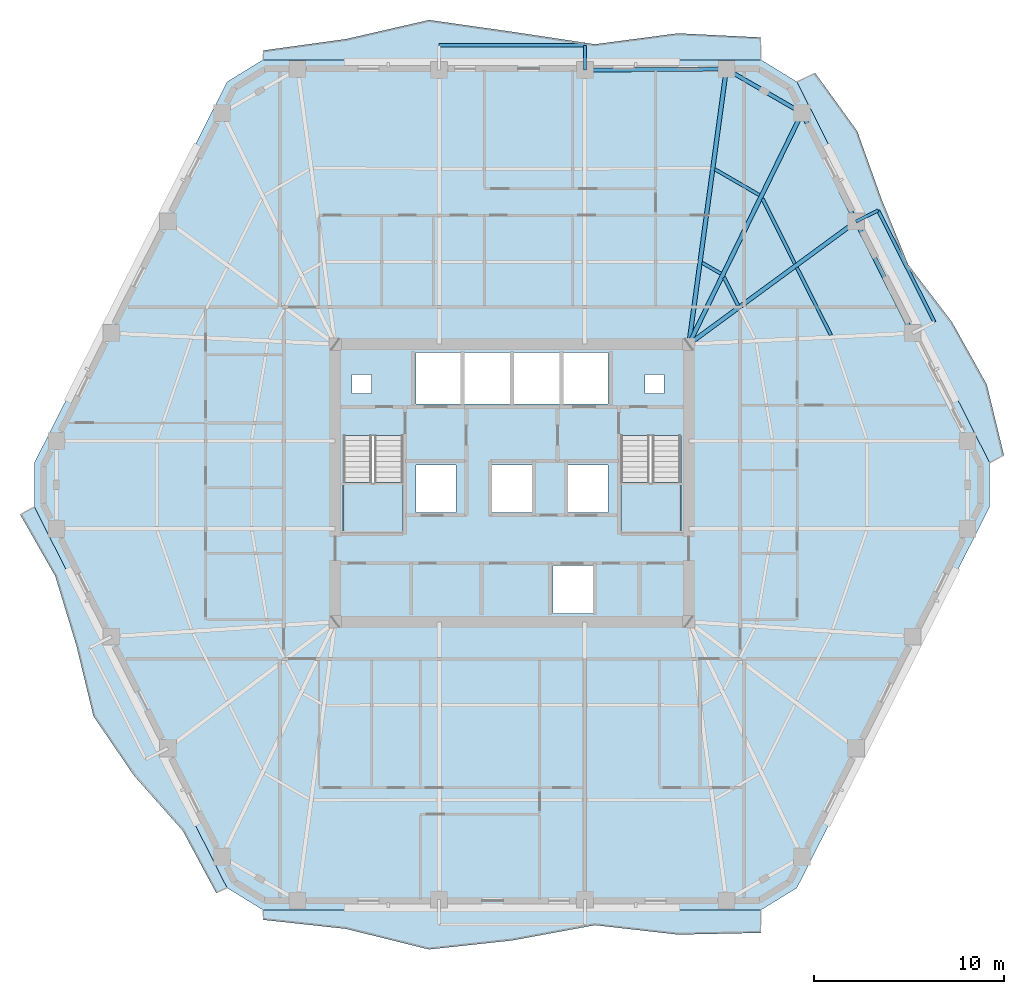
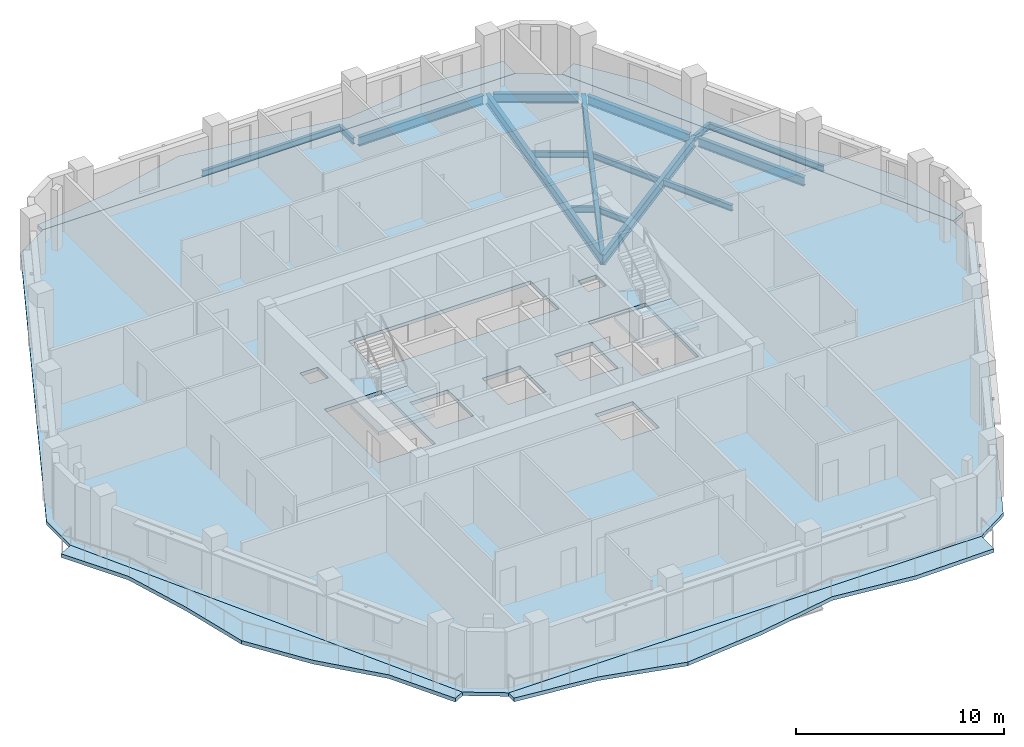
# One storey, part 3 of 12: 16 beams, 7 slabs, 2 elements without a shape of their own.
"""IFC4 building model written with IfcOpenShell, lengths in metres."""

from ifc_helpers import new_model, si_unit, direction, frame, origin, origin_2d, place, context, subcontext, project, spatial, polyline, i_section, outline, extrude, material, layer, layer_set, material_profile, profile_set, type_object, element, aggregate, save


model = new_model("IFC4")

# Units and contexts
model_context = context("Model", 3, precision=1e-05, world=origin(), true_north=direction((0.0, 1.0)))
body_context = subcontext(model_context, "Body", "Model", "MODEL_VIEW")
ifc_project = project(units=[si_unit("LENGTHUNIT", "METRE"), si_unit("AREAUNIT", "SQUARE_METRE"), si_unit("VOLUMEUNIT", "CUBIC_METRE"), si_unit("PLANEANGLEUNIT", "RADIAN"), si_unit("MASSUNIT", "GRAM", prefix="KILO")], contexts=[model_context])

# Site, building, storey
site_placement = place(None, origin())
site = spatial("IfcSite", under=ifc_project, at=site_placement, CompositionType="ELEMENT")
building_placement = place(site_placement, origin())
building = spatial("IfcBuilding", under=site, at=building_placement, Name="Cinnabar Lancet Tower", CompositionType="ELEMENT")
storey_placement = place(building_placement, frame((0.0, 0.0, 153.5)))
storey = spatial("IfcBuildingStorey", under=building, at=storey_placement, Name="L40", CompositionType="ELEMENT", Elevation=153.5)

# Beams
ifc_material_1 = material(Name="Structural steel S355", Category="steel")
ifc_material_profile_1 = material_profile(ifc_material_1, i_section(OverallWidth=0.17138671875, OverallDepth=0.35498046875, WebThickness=0.00732421875, FlangeThickness=0.011474609375, FilletRadius=0.01025390625, at=origin_2d()), Name="UKB 356x171x51")
ifc_profile_set_1 = profile_set([ifc_material_profile_1], Name="Structural steel S355")
beam_type_1 = type_object("IfcBeamType", Name="STR-BM-JST-356", PredefinedType="JOIST", material=ifc_profile_set_1)
beam_1_placement = place(storey_placement, frame((49.1650390625, 33.679931640625, -0.387939453125), z_axis=(-0.450656035687, 0.892697674187, 0.0), x_axis=(-0.892697674187, -0.450656035687, 0.0)))
element("IfcBeam", 1, at=beam_1_placement, inside=storey, type_object=beam_type_1, Name="L40 Secondary Floor Joist 27", PredefinedType="JOIST", context=body_context, shape_type="SweptSolid", body=[
    extrude(i_section(OverallWidth=0.17138671875, OverallDepth=0.35498046875, WebThickness=0.00732421875, FlangeThickness=0.011474609375, FilletRadius=0.01025390625, at=origin_2d()), origin(), (0.0, 0.0, 1.0), 3.9677734375),
])
beam_2_placement = place(storey_placement, frame((47.27294921875, 37.427978515625, -0.387939453125), z_axis=(-0.4452962175, 0.895383313827, 0.0), x_axis=(-0.895383313827, -0.4452962175, 0.0)))
element("IfcBeam", 2, at=beam_2_placement, inside=storey, type_object=beam_type_1, Name="L40 Secondary Floor Joist 29", PredefinedType="JOIST", context=body_context, shape_type="SweptSolid", body=[
    extrude(i_section(OverallWidth=0.17138671875, OverallDepth=0.35498046875, WebThickness=0.00732421875, FlangeThickness=0.011474609375, FilletRadius=0.01025390625, at=origin_2d()), origin(), (0.0, 0.0, 1.0), 3.822021484375),
])
beam_3_placement = place(storey_placement, frame((44.284912109375, 35.237060546875, -0.387939453125), z_axis=(-0.445203586036, 0.895429375764, 0.0), x_axis=(-0.895429375764, -0.445203586036, 0.0)))
element("IfcBeam", 3, at=beam_3_placement, inside=storey, type_object=beam_type_1, Name="L40 Secondary Floor Joist 30", PredefinedType="JOIST", context=body_context, shape_type="SweptSolid", body=[
    extrude(i_section(OverallWidth=0.17138671875, OverallDepth=0.35498046875, WebThickness=0.00732421875, FlangeThickness=0.011474609375, FilletRadius=0.01025390625, at=origin_2d()), origin(), (0.0, 0.0, 1.0), 1.65283203125),
])
beam_4_placement = place(storey_placement, frame((45.407958984375, 41.035888671875, -0.387939453125), z_axis=(-0.865133760642, 0.501541200898, 0.0), x_axis=(-0.501541200898, -0.865133760642, 0.0)))
element("IfcBeam", 4, at=beam_4_placement, inside=storey, type_object=beam_type_1, Name="L40 Secondary Floor Joist 31", PredefinedType="JOIST", context=body_context, shape_type="SweptSolid", body=[
    extrude(i_section(OverallWidth=0.17138671875, OverallDepth=0.35498046875, WebThickness=0.00732421875, FlangeThickness=0.011474609375, FilletRadius=0.01025390625, at=origin_2d()), origin(), (0.0, 0.0, 1.0), 2.7060546875),
])
beam_5_placement = place(storey_placement, frame((43.385986328125, 36.904052734375, -0.387939453125), z_axis=(-0.865640778484, 0.500665599602, 0.0), x_axis=(-0.500665599602, -0.865640778484, 0.0)))
element("IfcBeam", 5, at=beam_5_placement, inside=storey, type_object=beam_type_1, Name="L40 Secondary Floor Joist 32", PredefinedType="JOIST", context=body_context, shape_type="SweptSolid", body=[
    extrude(i_section(OverallWidth=0.17138671875, OverallDepth=0.35498046875, WebThickness=0.00732421875, FlangeThickness=0.011474609375, FilletRadius=0.01025390625, at=origin_2d()), origin(), (0.0, 0.0, 1.0), 1.142578125),
])
ifc_material_2 = material(Name="Structural steel S355", Category="steel")
ifc_material_profile_2 = material_profile(ifc_material_2, i_section(OverallWidth=0.209228515625, OverallDepth=0.533203125, WebThickness=0.010009765625, FlangeThickness=0.015625, FilletRadius=0.0126953125, at=origin_2d()), Name="UKB 533x210x92")
ifc_profile_set_2 = profile_set([ifc_material_profile_2], Name="Structural steel S355")
beam_type_2 = type_object("IfcBeamType", Name="STR-BM-SPN-533", PredefinedType="SPANDREL", material=ifc_profile_set_2)
beam_6_placement = place(storey_placement, frame((53.339111328125, 33.9990234375, -0.47705078125), z_axis=(-0.450570325924, 0.892740937449, 0.0), x_axis=(-0.892740937449, -0.450570325924, 0.0)))
element("IfcBeam", 6, at=beam_6_placement, inside=storey, type_object=beam_type_2, Name="L40 Perimeter Spandrel 10", PredefinedType="SPANDREL", context=body_context, shape_type="SweptSolid", body=[
    extrude(i_section(OverallWidth=0.209228515625, OverallDepth=0.533203125, WebThickness=0.010009765625, FlangeThickness=0.015625, FilletRadius=0.0126953125, at=origin_2d()), origin(), (0.0, 0.0, 1.0), 6.07470703125),
])
beam_7_placement = place(storey_placement, frame((50.3779296875, 39.868896484375, -0.47705078125), z_axis=(-0.445501068635, 0.89528140707, 0.0), x_axis=(-0.89528140707, -0.445501068635, 0.0)))
element("IfcBeam", 7, at=beam_7_placement, inside=storey, type_object=beam_type_2, Name="L40 Perimeter Spandrel 11", PredefinedType="SPANDREL", context=body_context, shape_type="SweptSolid", body=[
    extrude(i_section(OverallWidth=0.209228515625, OverallDepth=0.533203125, WebThickness=0.010009765625, FlangeThickness=0.015625, FilletRadius=0.0126953125, at=origin_2d()), origin(), (0.0, 0.0, 1.0), 5.87646484375),
])
beam_8_placement = place(storey_placement, frame((47.43310546875, 45.47900390625, -0.47705078125), z_axis=(-0.865138129765, 0.5015336643, 0.0), x_axis=(-0.5015336643, -0.865138129765, 0.0)))
element("IfcBeam", 8, at=beam_8_placement, inside=storey, type_object=beam_type_2, Name="L40 Perimeter Spandrel 12", PredefinedType="SPANDREL", context=body_context, shape_type="SweptSolid", body=[
    extrude(i_section(OverallWidth=0.209228515625, OverallDepth=0.533203125, WebThickness=0.010009765625, FlangeThickness=0.015625, FilletRadius=0.0126953125, at=origin_2d()), origin(), (0.0, 0.0, 1.0), 4.10107421875),
])
beam_9_placement = place(storey_placement, frame((43.4189453125, 47.658935546875, -0.47705078125), z_axis=(-0.999975228682, -0.007038609338, 0.0), x_axis=(0.007038609338, -0.999975228682, 0.0)))
element("IfcBeam", 9, at=beam_9_placement, inside=storey, type_object=beam_type_2, Name="L40 Perimeter Spandrel 13", PredefinedType="SPANDREL", context=body_context, shape_type="SweptSolid", body=[
    extrude(i_section(OverallWidth=0.209228515625, OverallDepth=0.533203125, WebThickness=0.010009765625, FlangeThickness=0.015625, FilletRadius=0.0126953125, at=origin_2d()), origin(), (0.0, 0.0, 1.0), 6.937255859375),
])
ifc_material_3 = material(Name="Structural steel S355", Category="steel")
ifc_material_profile_3 = material_profile(ifc_material_3, i_section(OverallWidth=0.228271484375, OverallDepth=0.607666015625, WebThickness=0.010986328125, FlangeThickness=0.017333984375, FilletRadius=0.0126953125, at=origin_2d()), Name="UKB 610x229x113")
ifc_profile_set_3 = profile_set([ifc_material_profile_3], Name="Structural steel S355")
beam_type_3 = type_object("IfcBeamType", Name="STR-BM-UKB610-113", PredefinedType="BEAM", material=ifc_profile_set_3)
beam_10_placement = place(storey_placement, frame((50.489013671875, 39.64501953125, -0.513916015625), z_axis=(-0.806415678013, -0.591349096774, 0.0), x_axis=(0.591349096774, -0.806415678013, 0.0)))
element("IfcBeam", 10, at=beam_10_placement, inside=storey, type_object=beam_type_3, Name="L40 Corner Collector Girder 3", PredefinedType="BEAM", context=body_context, shape_type="SweptSolid", body=[
    extrude(i_section(OverallWidth=0.228271484375, OverallDepth=0.607666015625, WebThickness=0.010986328125, FlangeThickness=0.017333984375, FilletRadius=0.0126953125, at=origin_2d()), origin(), (0.0, 0.0, 1.0), 10.89892578125),
])
beam_11_placement = place(storey_placement, frame((47.64892578125, 45.35400390625, -0.513916015625), z_axis=(-0.43962719145, -0.898180345219, 0.0), x_axis=(0.898180345219, -0.43962719145, 0.0)))
element("IfcBeam", 11, at=beam_11_placement, inside=storey, type_object=beam_type_3, Name="L40 Primary Floor Girder 12", PredefinedType="BEAM", context=body_context, shape_type="SweptSolid", body=[
    extrude(i_section(OverallWidth=0.228271484375, OverallDepth=0.607666015625, WebThickness=0.010986328125, FlangeThickness=0.017333984375, FilletRadius=0.0126953125, at=origin_2d()), origin(), (0.0, 0.0, 1.0), 13.531982421875),
])
beam_12_placement = place(storey_placement, frame((43.6689453125, 47.660888671875, -0.513916015625), z_axis=(-0.134914632731, -0.990857225777, 0.0), x_axis=(0.990857225777, -0.134914632731, 0.0)))
element("IfcBeam", 12, at=beam_12_placement, inside=storey, type_object=beam_type_3, Name="L40 Primary Floor Girder 13", PredefinedType="BEAM", context=body_context, shape_type="SweptSolid", body=[
    extrude(i_section(OverallWidth=0.228271484375, OverallDepth=0.607666015625, WebThickness=0.010986328125, FlangeThickness=0.017333984375, FilletRadius=0.0126953125, at=origin_2d()), origin(), (0.0, 0.0, 1.0), 14.594482421875),
])
ifc_material_4 = material(Name="Structural steel S355", Category="steel")
ifc_material_profile_4 = material_profile(ifc_material_4, i_section(OverallWidth=0.17138671875, OverallDepth=0.35498046875, WebThickness=0.00732421875, FlangeThickness=0.011474609375, FilletRadius=0.01025390625, at=origin_2d()), Name="UKB 356x171x51")
ifc_profile_set_4 = profile_set([ifc_material_profile_4], Name="Structural steel S355")
beam_type_4 = type_object("IfcBeamType", Name="STR-BM-WAV-OUT", PredefinedType="BEAM", material=ifc_profile_set_4)
for number, where, z_axis, x_axis, name in (
    (13, (50.489013671875, 39.64501953125, -0.39794921875), (0.89227592947, 0.451490493464, 0.0), (-0.451490493464, 0.89227592947, 0.0), "L40 Face 3 Balcony Outlooker B"),
    (14, (36.23193359375, 47.60791015625, -0.39794921875), (0.0, 1.0, 0.0), (-1.0, 0.0, 0.0), "L40 Face 4 Balcony Outlooker A"),
):
    element("IfcBeam", number, at=place(storey_placement, frame(where, z_axis=z_axis, x_axis=x_axis)), inside=storey, type_object=beam_type_4, Name=name, PredefinedType="BEAM", context=body_context, shape_type="SweptSolid", body=[
        extrude(i_section(OverallWidth=0.17138671875, OverallDepth=0.35498046875, WebThickness=0.00732421875, FlangeThickness=0.011474609375, FilletRadius=0.01025390625, at=origin_2d()), origin(), (0.0, 0.0, 1.0), 1.300048828125),
    ])
ifc_material_5 = material(Name="Structural steel S355", Category="steel")
ifc_material_profile_5 = material_profile(ifc_material_5, i_section(OverallWidth=0.17138671875, OverallDepth=0.35498046875, WebThickness=0.00732421875, FlangeThickness=0.011474609375, FilletRadius=0.01025390625, at=origin_2d()), Name="UKB 356x171x51")
ifc_profile_set_5 = profile_set([ifc_material_profile_5], Name="Structural steel S355")
beam_type_5 = type_object("IfcBeamType", Name="STR-BM-WAV-TRIM", PredefinedType="SPANDREL", material=ifc_profile_set_5)
beam_13_placement = place(storey_placement, frame((54.612060546875, 34.363037109375, -0.39794921875), z_axis=(-0.450700828166, 0.892675060417, 0.0), x_axis=(-0.892675060417, -0.450700828166, 0.0)))
element("IfcBeam", 15, at=beam_13_placement, inside=storey, type_object=beam_type_5, Name="L40 Face 3 Balcony Edge Trimmer", PredefinedType="SPANDREL", context=body_context, shape_type="SweptSolid", body=[
    extrude(i_section(OverallWidth=0.17138671875, OverallDepth=0.35498046875, WebThickness=0.00732421875, FlangeThickness=0.011474609375, FilletRadius=0.01025390625, at=origin_2d()), origin(), (0.0, 0.0, 1.0), 6.574462890625),
])
beam_14_placement = place(storey_placement, frame((36.23193359375, 48.907958984375, -0.39794921875), z_axis=(-1.0, 0.0, 0.0), x_axis=(0.0, -1.0, 0.0)))
element("IfcBeam", 16, at=beam_14_placement, inside=storey, type_object=beam_type_5, Name="L40 Face 4 Balcony Edge Trimmer", PredefinedType="SPANDREL", context=body_context, shape_type="SweptSolid", body=[
    extrude(i_section(OverallWidth=0.17138671875, OverallDepth=0.35498046875, WebThickness=0.00732421875, FlangeThickness=0.011474609375, FilletRadius=0.01025390625, at=origin_2d()), origin(), (0.0, 0.0, 1.0), 7.663818359375),
])

# Stair, slab
ifc_material_6 = material(Name="Concrete C40/50", Category="concrete")
stair_type = type_object("IfcStairType", Name="ST-CORE", PredefinedType="HALF_TURN_STAIR", material=ifc_material_6)
stair_1_placement = place(storey_placement, origin())
stair_1 = element("IfcStair", 17, at=stair_1_placement, inside=storey, type_object=stair_type, Name="L40 ST-1", PredefinedType="HALF_TURN_STAIR")
ifc_material_7 = material(Name="Concrete C40/50", Category="concrete")
ifc_layer_1 = layer(ifc_material_7, 0.199951171875)
ifc_layer_set_1 = layer_set([ifc_layer_1], Name="Concrete C40/50")
slab_type_1 = type_object("IfcSlabType", Name="LANDING-CORE", PredefinedType="LANDING", material=ifc_layer_set_1)
slab_1_placement = place(storey_placement, frame((0.0, 0.0, 1.574951171875)))
slab_1 = element("IfcSlab", 18, at=slab_1_placement, type_object=slab_type_1, Name="ST-1 landing 1", PredefinedType="LANDING", context=body_context, shape_type="SweptSolid", body=[
    extrude(outline(polyline([(23.52490234375, 25.925048828125), (23.52490234375, 23.25), (26.675048828125, 23.25), (26.675048828125, 25.925048828125), (23.52490234375, 25.925048828125)])), origin(), (0.0, 0.0, 1.0), 0.199951171875),
])
aggregate(stair_1, [slab_1])

stair_2_placement = place(storey_placement, origin())
stair_2 = element("IfcStair", 19, at=stair_2_placement, inside=storey, type_object=stair_type, Name="L40 ST-2", PredefinedType="HALF_TURN_STAIR")
slab_2_placement = place(storey_placement, frame((0.0, 0.0, 1.574951171875)))
slab_2 = element("IfcSlab", 20, at=slab_2_placement, type_object=slab_type_1, Name="ST-2 landing 1", PredefinedType="LANDING", context=body_context, shape_type="SweptSolid", body=[
    extrude(outline(polyline([(38.125, 25.925048828125), (38.125, 23.25), (41.27490234375, 23.25), (41.27490234375, 25.925048828125), (38.125, 25.925048828125)])), origin(), (0.0, 0.0, 1.0), 0.199951171875),
])
aggregate(stair_2, [slab_2])

# Slabs
ifc_material_8 = material(Name="Concrete C40/50", Category="concrete")
ifc_layer_2 = layer(ifc_material_8, 0.2099609375)
ifc_layer_set_2 = layer_set([ifc_layer_2], Name="Concrete C40/50")
slab_type_2 = type_object("IfcSlabType", Name="STR-SLB-FLR-210", PredefinedType="FLOOR", material=ifc_layer_set_2)
slab_3_placement = place(storey_placement, frame((0.0, 0.0, -0.2099609375)))
element("IfcSlab", 21, at=slab_3_placement, inside=storey, type_object=slab_type_2, Name="L40 Structural Floor Slab", PredefinedType="FLOOR", context=body_context, shape_type="SweptSolid", body=[
    extrude(outline(polyline([(17.4208984375, 4.610107421875), (19.30810546875, 3.449951171875), (45.491943359375, 3.449951171875), (47.37890625, 4.610107421875), (57.512939453125, 24.639892578125), (57.512939453125, 26.9599609375), (47.37890625, 46.989990234375), (45.491943359375, 48.14990234375), (19.30810546875, 48.14990234375), (17.4208984375, 46.989990234375), (7.287109375, 26.9599609375), (7.287109375, 24.639892578125), (17.4208984375, 4.610107421875)]), holes=[polyline([(23.52490234375, 23.25), (26.675048828125, 23.25), (26.675048828125, 28.3994140625), (23.52490234375, 28.3994140625), (23.52490234375, 23.25)]), polyline([(38.125, 23.25), (41.27490234375, 23.25), (41.27490234375, 28.3994140625), (38.125, 28.3994140625), (38.125, 23.25)]), polyline([(27.35009765625, 30.050048828125), (37.449951171875, 30.050048828125), (37.449951171875, 32.75), (27.35009765625, 32.75), (27.35009765625, 30.050048828125)]), polyline([(34.550048828125, 19.050048828125), (36.64990234375, 19.050048828125), (36.64990234375, 21.550048828125), (34.550048828125, 21.550048828125), (34.550048828125, 19.050048828125)]), polyline([(27.35009765625, 24.35009765625), (29.449951171875, 24.35009765625), (29.449951171875, 26.85009765625), (27.35009765625, 26.85009765625), (27.35009765625, 24.35009765625)]), polyline([(35.35009765625, 24.35009765625), (37.449951171875, 24.35009765625), (37.449951171875, 26.85009765625), (35.35009765625, 26.85009765625), (35.35009765625, 24.35009765625)]), polyline([(31.35009765625, 24.35009765625), (33.449951171875, 24.35009765625), (33.449951171875, 26.85009765625), (31.35009765625, 26.85009765625), (31.35009765625, 24.35009765625)]), polyline([(24.0, 30.60009765625), (25.0, 30.60009765625), (25.0, 31.60009765625), (24.0, 31.60009765625), (24.0, 30.60009765625)]), polyline([(39.39990234375, 30.60009765625), (40.39990234375, 30.60009765625), (40.39990234375, 31.60009765625), (39.39990234375, 31.60009765625), (39.39990234375, 30.60009765625)])]), origin(), (0.0, 0.0, 1.0), 0.2099609375),
])
ifc_material_9 = material(Name="Concrete C45/55", Category="concrete")
ifc_layer_3 = layer(ifc_material_9, 0.219970703125)
ifc_layer_set_3 = layer_set([ifc_layer_3], Name="Concrete C45/55")
slab_type_3 = type_object("IfcSlabType", Name="STR-SLB-WAV-220", PredefinedType="FLOOR", material=ifc_layer_set_3)
slab_4_placement = place(storey_placement, frame((0.0, 0.0, -0.219970703125)))
element("IfcSlab", 22, at=slab_4_placement, inside=storey, type_object=slab_type_3, Name="L40 Face 1 Undulating Wave Balcony Slab", PredefinedType="FLOOR", context=body_context, shape_type="SweptSolid", body=[
    extrude(outline(polyline([(19.30810546875, 3.449951171875), (19.30810546875, 2.931884765625), (23.672119140625, 2.4560546875), (28.035888671875, 1.375), (32.39990234375, 1.845947265625), (36.763916015625, 2.64990234375), (41.1279296875, 2.156005859375), (45.491943359375, 2.24609375), (45.491943359375, 3.449951171875), (19.30810546875, 3.449951171875)])), origin(), (0.0, 0.0, 1.0), 0.219970703125),
])
slab_5_placement = place(storey_placement, frame((0.0, 0.0, -0.219970703125)))
element("IfcSlab", 23, at=slab_5_placement, inside=storey, type_object=slab_type_3, Name="L40 Face 3 Undulating Wave Balcony Slab", PredefinedType="FLOOR", context=body_context, shape_type="SweptSolid", body=[
    extrude(outline(polyline([(57.512939453125, 26.9599609375), (58.26806640625, 27.342041015625), (57.362060546875, 31.075927734375), (55.5419921875, 34.347900390625), (53.23291015625, 37.373046875), (51.819091796875, 40.85107421875), (50.548095703125, 44.40087890625), (48.327880859375, 47.469970703125), (47.37890625, 46.989990234375), (57.512939453125, 26.9599609375)])), origin(), (0.0, 0.0, 1.0), 0.219970703125),
])
slab_6_placement = place(storey_placement, frame((0.0, 0.0, -0.219970703125)))
element("IfcSlab", 24, at=slab_6_placement, inside=storey, type_object=slab_type_3, Name="L40 Face 4 Undulating Wave Balcony Slab", PredefinedType="FLOOR", context=body_context, shape_type="SweptSolid", body=[
    extrude(outline(polyline([(45.491943359375, 48.14990234375), (45.491943359375, 49.323974609375), (41.1279296875, 49.541015625), (36.763916015625, 48.967041015625), (32.39990234375, 49.6240234375), (28.035888671875, 50.241943359375), (23.672119140625, 49.240966796875), (19.30810546875, 48.637939453125), (19.30810546875, 48.14990234375), (45.491943359375, 48.14990234375)])), origin(), (0.0, 0.0, 1.0), 0.219970703125),
])
slab_7_placement = place(storey_placement, frame((0.0, 0.0, -0.219970703125)))
element("IfcSlab", 25, at=slab_7_placement, inside=storey, type_object=slab_type_3, Name="L40 Face 6 Undulating Wave Balcony Slab", PredefinedType="FLOOR", context=body_context, shape_type="SweptSolid", body=[
    extrude(outline(polyline([(7.287109375, 24.639892578125), (6.531982421875, 24.258056640625), (8.385986328125, 21.0029296875), (9.490966796875, 17.3701171875), (10.39501953125, 13.634033203125), (12.52392578125, 10.51806640625), (15.083984375, 7.62109375), (16.85888671875, 4.325927734375), (17.4208984375, 4.610107421875), (7.287109375, 24.639892578125)])), origin(), (0.0, 0.0, 1.0), 0.219970703125),
])

save(model, "model.ifc")
